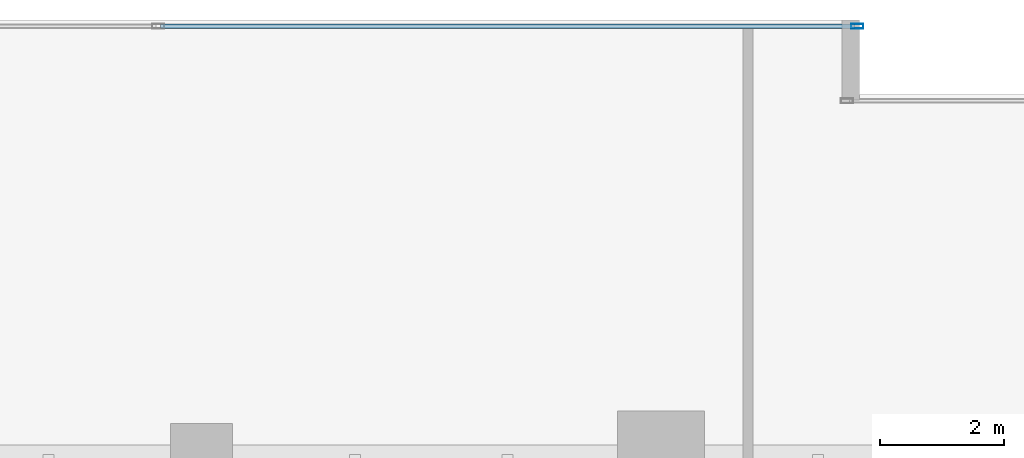
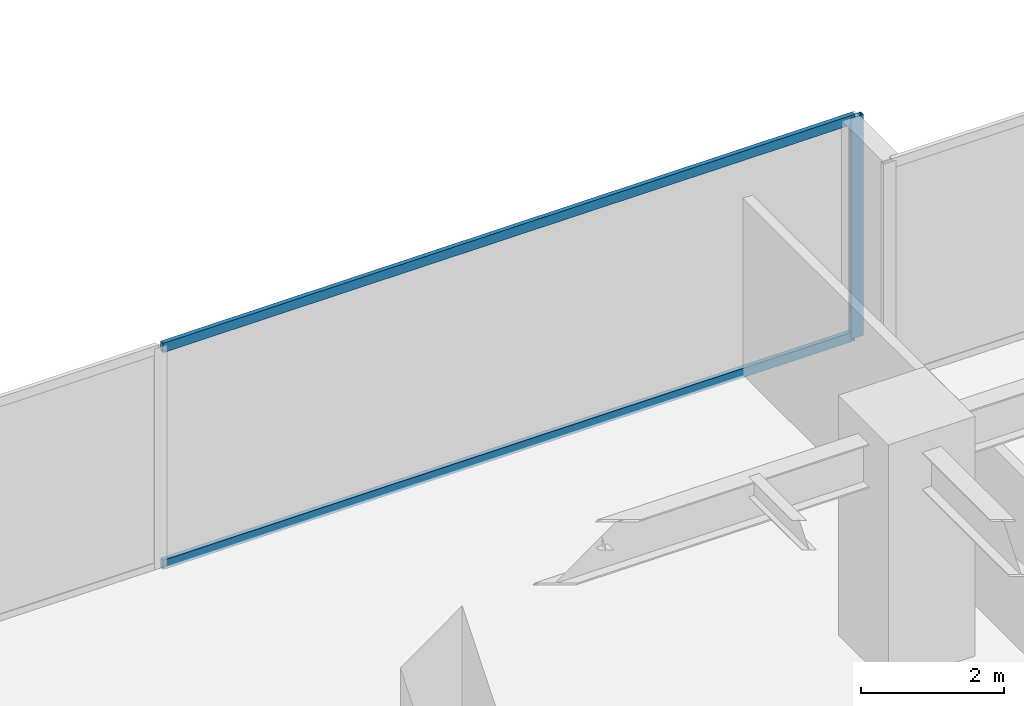
# One storey, part 16 of 35: 3 members, 1 element without a shape of its own.
"""IFC4 building model written with IfcOpenShell, lengths in metres."""

from ifc_helpers import new_model, si_unit, direction, frame, origin, origin_2d, place, context, subcontext, project, spatial, hollow_rectangle, extrude, source, transform, mapped, material, layer, layer_set, material_profile, profile_set, type_object, type_shapes, element, aggregate, save


model = new_model("IFC4")

# Units and contexts
model_context = context("Model", 3, precision=1e-05, world=origin(), true_north=direction((0.0, 1.0)))
body_context = subcontext(model_context, "Body", "Model", "MODEL_VIEW")
ifc_project = project(units=[si_unit("LENGTHUNIT", "METRE"), si_unit("AREAUNIT", "SQUARE_METRE"), si_unit("VOLUMEUNIT", "CUBIC_METRE"), si_unit("PLANEANGLEUNIT", "RADIAN"), si_unit("MASSUNIT", "GRAM", prefix="KILO")], contexts=[model_context])

# Site, building, storey
site_placement = place(None, origin())
site = spatial("IfcSite", under=ifc_project, at=site_placement, CompositionType="ELEMENT")
building_placement = place(site_placement, origin())
building = spatial("IfcBuilding", under=site, at=building_placement, Name="Haelvirn Gate Laboratories", CompositionType="ELEMENT")
storey_placement = place(building_placement, frame((0.0, 0.0, 82.60009765625)))
storey = spatial("IfcBuildingStorey", under=building, at=storey_placement, Name="L20", CompositionType="ELEMENT", Elevation=82.60009765625)

# Curtain wall, members
ifc_material_1 = material(Name="Anodised bronze unitised aluminium & triple low-E glass", Category="aluminium")
ifc_layer = layer(ifc_material_1, 0.18408203125, Name="CW-SYS-2")
ifc_layer_set = layer_set([ifc_layer], Name="Anodised bronze unitised aluminium & triple low-E glass")
curtain_wall_type = type_object("IfcCurtainWallType", Name="CW-SYS-2", PredefinedType="NOTDEFINED", material=ifc_layer_set)
curtain_wall_placement = place(storey_placement, origin())
curtain_wall = element("IfcCurtainWall", 1, at=curtain_wall_placement, inside=storey, type_object=curtain_wall_type, Name="L20 Unitised Curtain Wall CW-L20-P0-E14-1", PredefinedType="NOTDEFINED")
ifc_material_2 = material(Name="Extruded aluminium 6063-T6 (anodised bronze)", Category="aluminium")
ifc_material_profile_1 = material_profile(ifc_material_2, hollow_rectangle(XDim=0.070068359375, YDim=0.159912109375, WallThickness=0.0048828125, at=origin_2d()), Name="CWT-160x70x5")
ifc_profile_set_1 = profile_set([ifc_material_profile_1], Name="Extruded aluminium 6063-T6 (anodised bronze)")
member_type_1 = type_object("IfcMemberType", Name="CWT-T160", PredefinedType="USERDEFINED", material=ifc_profile_set_1)
shared_shape_1 = source(origin(), body_context, "Body", "SweptSolid", [
    extrude(hollow_rectangle(XDim=0.070068359375, YDim=0.159912109375, WallThickness=0.0048828125, at=origin_2d()), origin(), (0.0, 0.0, 1.0), 11.1875),
])
type_shapes(member_type_1, [shared_shape_1])
member_1_placement = place(storey_placement, frame((14.137451171875, 48.5, 0.034912109375), z_axis=(1.0, 0.0, 0.0), x_axis=(0.0, 1.0, 0.0)))
member_1 = element("IfcMember", 2, at=member_1_placement, type_object=member_type_1, Name="CW2 transom 2.1", ObjectType="TRANSOM", PredefinedType="USERDEFINED", context=body_context, shape_type="MappedRepresentation", body=[
    mapped(shared_shape_1, transform((0.0, 0.0, 0.0), scale=1.0)),
])
member_2_placement = place(storey_placement, frame((14.137451171875, 48.5, 3.744873046875), z_axis=(1.0, 0.0, 0.0), x_axis=(0.0, 1.0, 0.0)))
member_2 = element("IfcMember", 3, at=member_2_placement, type_object=member_type_1, Name="CW2 transom 2.2", ObjectType="TRANSOM", PredefinedType="USERDEFINED", context=body_context, shape_type="MappedRepresentation", body=[
    mapped(shared_shape_1, transform((0.0, 0.0, 0.0), scale=1.0)),
])
ifc_material_profile_2 = material_profile(ifc_material_2, hollow_rectangle(XDim=0.074951171875, YDim=0.199951171875, WallThickness=0.0048828125, at=origin_2d()), Name="CWM-200x75x5")
ifc_profile_set_2 = profile_set([ifc_material_profile_2], Name="Extruded aluminium 6063-T6 (anodised bronze)")
member_type_2 = type_object("IfcMemberType", Name="CWM-T200", PredefinedType="MULLION", material=ifc_profile_set_2)
shared_shape_2 = source(origin(), body_context, "Body", "SweptSolid", [
    extrude(hollow_rectangle(XDim=0.074951171875, YDim=0.199951171875, WallThickness=0.0048828125, at=origin_2d()), origin(), (0.0, 0.0, 1.0), 3.77978515625),
])
type_shapes(member_type_2, [shared_shape_2])
member_3_placement = place(storey_placement, frame((25.362548828125, 48.5, 0.0), z_axis=(0.0, 0.0, 1.0), x_axis=(0.0, 1.0, 0.0)))
member_3 = element("IfcMember", 4, at=member_3_placement, type_object=member_type_2, Name="CW2 mullion 3", PredefinedType="MULLION", context=body_context, shape_type="MappedRepresentation", body=[
    mapped(shared_shape_2, transform((0.0, 0.0, 0.0), scale=1.0)),
])
aggregate(curtain_wall, [member_3, member_1, member_2])

save(model, "model.ifc")
